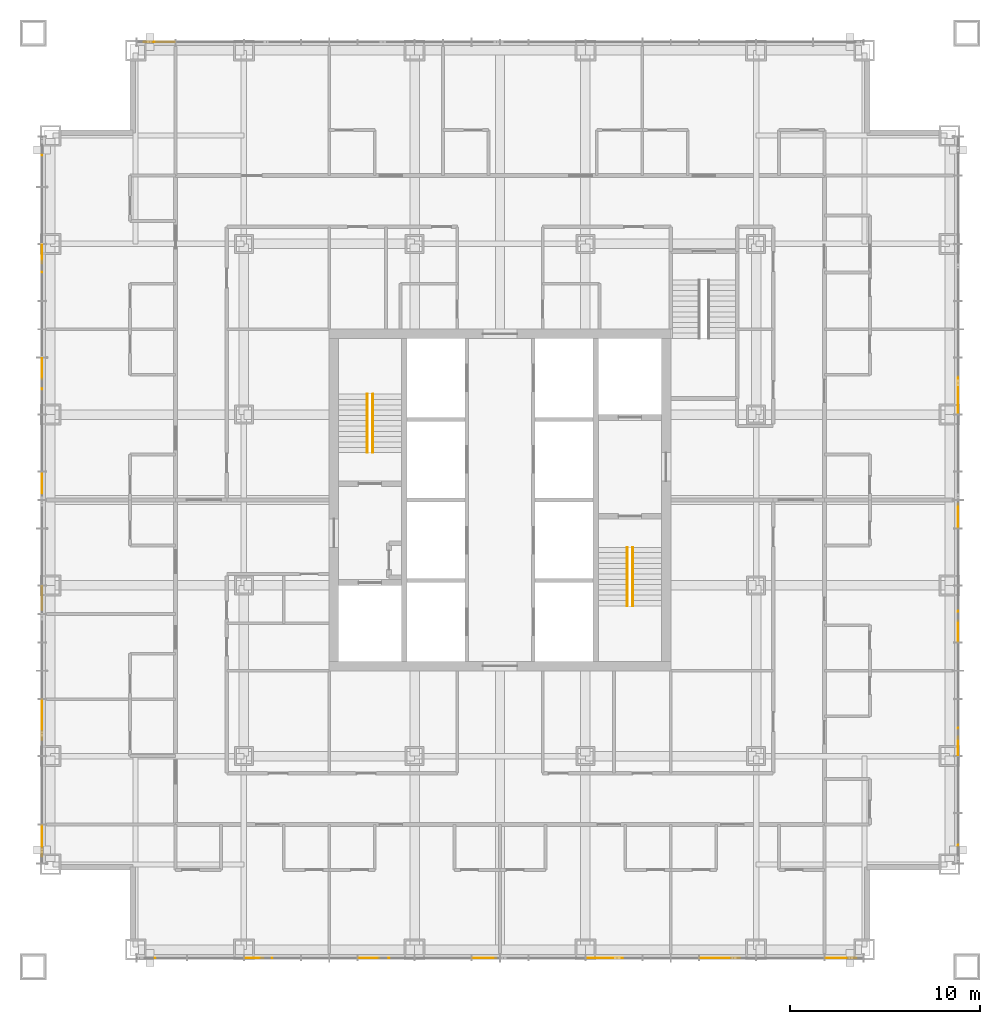
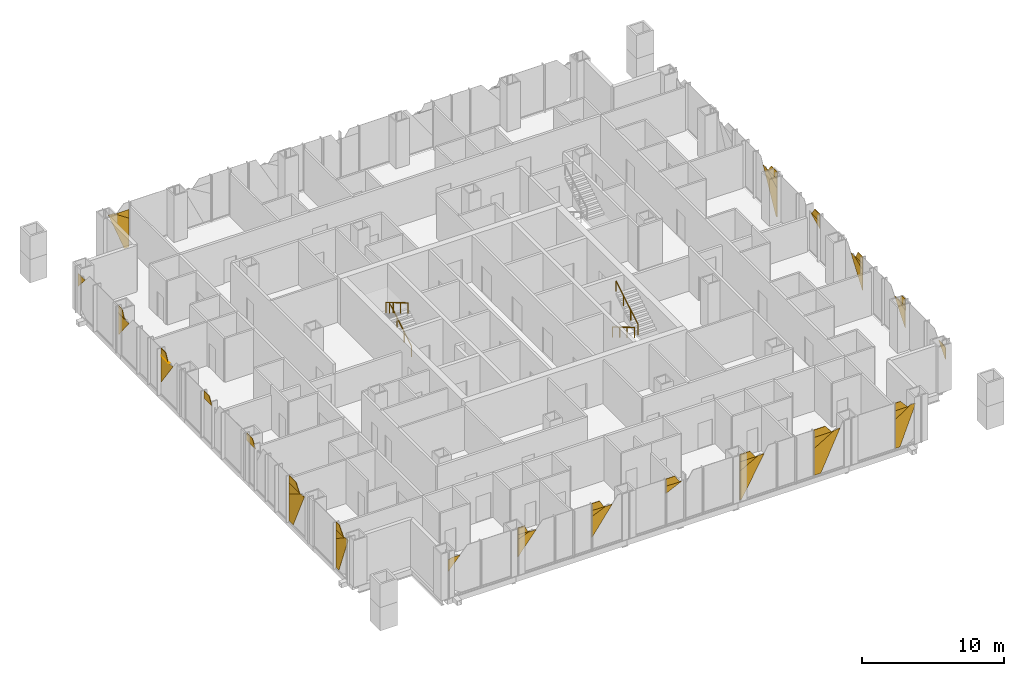
# One storey, part 14 of 23: 47 coverings, 4 railings.
"""IFC4 building model written with IfcOpenShell, lengths in metres."""

from ifc_helpers import new_model, si_unit, direction, frame, origin, origin_2d, place, context, subcontext, project, spatial, polyline, circle, outline, extrude, material, layer, layer_set, type_object, element, save


model = new_model("IFC4")

# Units and contexts
model_context = context("Model", 3, precision=1e-05, world=origin(), true_north=direction((0.0, 1.0)))
body_context = subcontext(model_context, "Body", "Model", "MODEL_VIEW")
ifc_project = project(units=[si_unit("LENGTHUNIT", "METRE"), si_unit("AREAUNIT", "SQUARE_METRE"), si_unit("VOLUMEUNIT", "CUBIC_METRE"), si_unit("PLANEANGLEUNIT", "RADIAN"), si_unit("MASSUNIT", "GRAM", prefix="KILO")], contexts=[model_context])

# Site, building, storey
site_placement = place(None, origin())
site = spatial("IfcSite", under=ifc_project, at=site_placement, CompositionType="ELEMENT")
building_placement = place(site_placement, origin())
building = spatial("IfcBuilding", under=site, at=building_placement, Name="Malebo Sky Hospital", CompositionType="ELEMENT")
storey_placement = place(building_placement, frame((0.0, 0.0, 168.0)))
storey = spatial("IfcBuildingStorey", under=building, at=storey_placement, Name="L40", CompositionType="ELEMENT", Elevation=168.0)

# Coverings
ifc_material_1 = material(Name="Anodised aluminium, natural silver insulated infill panel", Category="aluminium")
ifc_layer = layer(ifc_material_1, 0.0400390625)
ifc_layer_set = layer_set([ifc_layer], Name="BRACE INFILL PANEL 40")
covering_type = type_object("IfcCoveringType", Name="BRACE INFILL PANEL 40", PredefinedType="CLADDING", material=ifc_layer_set)
covering_1_placement = place(storey_placement, frame((42.029052734375, 86.135009765625, 0.099853515625), z_axis=(0.0, 0.0, 1.0), x_axis=(1.0, 0.0, 0.0)))
element("IfcCovering", 1, at=covering_1_placement, inside=storey, type_object=covering_type, Name="Brace infill panel 1.1", PredefinedType="CLADDING", context=body_context, shape_type="SweptSolid", body=[
    extrude(outline(polyline([(0.4501953125, 0.0), (0.83349609375, 0.0), (0.83349609375, 2.48095703125), (-0.420166015625, 3.3134765625), (-0.833251953125, 3.3134765625), (0.4501953125, 0.0)])), frame((0.0, 0.02001953125, 0.0), z_axis=(0.0, -1.0, 0.0), x_axis=(1.0, 0.0, 0.0)), (0.0, 0.0, 1.0), 0.0400390625),
])
covering_2_placement = place(storey_placement, frame((42.2978515625, 86.135009765625, 2.580810546875), z_axis=(0.0, 0.0, 1.0), x_axis=(1.0, 0.0, 0.0)))
element("IfcCovering", 2, at=covering_2_placement, inside=storey, type_object=covering_type, Name="Brace infill panel 1.2", PredefinedType="CLADDING", context=body_context, shape_type="SweptSolid", body=[
    extrude(outline(polyline([(0.564697265625, 0.0), (0.564697265625, 0.75), (-0.564697265625, 0.75), (0.564697265625, 0.0)])), frame((0.0, 0.02001953125, 0.0), z_axis=(0.0, -1.0, 0.0), x_axis=(1.0, 0.0, 0.0)), (0.0, 0.0, 1.0), 0.0400390625),
])
covering_3_placement = place(storey_placement, frame((35.864990234375, 44.029052734375, 0.099853515625), z_axis=(0.0, 0.0, 1.0), x_axis=(0.0, 1.0, 0.0)))
element("IfcCovering", 3, at=covering_3_placement, inside=storey, type_object=covering_type, Name="Brace infill panel 1.1", PredefinedType="CLADDING", context=body_context, shape_type="SweptSolid", body=[
    extrude(outline(polyline([(0.4501953125, 0.0), (0.83349609375, 0.0), (0.83349609375, 2.48095703125), (-0.420166015625, 3.3134765625), (-0.833251953125, 3.3134765625), (0.4501953125, 0.0)])), frame((0.0, 0.02001953125, 0.0), z_axis=(0.0, -1.0, 0.0), x_axis=(1.0, 0.0, 0.0)), (0.0, 0.0, 1.0), 0.0400390625),
])
covering_4_placement = place(storey_placement, frame((35.864990234375, 44.2978515625, 2.580810546875), z_axis=(0.0, 0.0, 1.0), x_axis=(0.0, 1.0, 0.0)))
element("IfcCovering", 4, at=covering_4_placement, inside=storey, type_object=covering_type, Name="Brace infill panel 1.2", PredefinedType="CLADDING", context=body_context, shape_type="SweptSolid", body=[
    extrude(outline(polyline([(0.564697265625, 0.0), (0.564697265625, 0.75), (-0.564697265625, 0.75), (0.564697265625, 0.0)])), frame((0.0, 0.02001953125, 0.0), z_axis=(0.0, -1.0, 0.0), x_axis=(1.0, 0.0, 0.0)), (0.0, 0.0, 1.0), 0.0400390625),
])
covering_5_placement = place(storey_placement, frame((35.864990234375, 44.359130859375, 3.330810546875), z_axis=(0.0, 0.0, 1.0), x_axis=(0.0, 1.0, 0.0)))
element("IfcCovering", 5, at=covering_5_placement, inside=storey, type_object=covering_type, Name="Brace infill panel 1.3", PredefinedType="CLADDING", context=body_context, shape_type="SweptSolid", body=[
    extrude(outline(polyline([(-0.50341796875, 0.0), (0.50341796875, 0.0), (0.50341796875, 0.6591796875), (0.077880859375, 0.6591796875), (-0.50341796875, 0.0)])), frame((0.0, 0.02001953125, 0.0), z_axis=(0.0, -1.0, 0.0), x_axis=(1.0, 0.0, 0.0)), (0.0, 0.0, 1.0), 0.0400390625),
])
covering_6_placement = place(storey_placement, frame((35.864990234375, 50.404541015625, 0.10009765625), z_axis=(0.0, 0.0, 1.0), x_axis=(0.0, 1.0, 0.0)))
element("IfcCovering", 6, at=covering_6_placement, inside=storey, type_object=covering_type, Name="Brace infill panel 3.1", PredefinedType="CLADDING", context=body_context, shape_type="SweptSolid", body=[
    extrude(outline(polyline([(0.491455078125, 0.0), (1.057861328125, 0.0), (1.057861328125, 2.287109375), (-0.611083984375, 3.297607421875), (-1.057861328125, 3.297607421875), (0.491455078125, 0.0)])), frame((0.0, 0.02001953125, 0.0), z_axis=(0.0, -1.0, 0.0), x_axis=(1.0, 0.0, 0.0)), (0.0, 0.0, 1.0), 0.0400390625),
])
covering_7_placement = place(storey_placement, frame((35.864990234375, 50.673828125, 2.38720703125), z_axis=(0.0, 0.0, 1.0), x_axis=(0.0, 1.0, 0.0)))
element("IfcCovering", 7, at=covering_7_placement, inside=storey, type_object=covering_type, Name="Brace infill panel 3.2", PredefinedType="CLADDING", context=body_context, shape_type="SweptSolid", body=[
    extrude(outline(polyline([(0.78857421875, 0.0), (0.78857421875, 0.954833984375), (-0.78857421875, 0.954833984375), (0.78857421875, 0.0)])), frame((0.0, 0.02001953125, 0.0), z_axis=(0.0, -1.0, 0.0), x_axis=(1.0, 0.0, 0.0)), (0.0, 0.0, 1.0), 0.0400390625),
])
covering_8_placement = place(storey_placement, frame((35.864990234375, 50.73974609375, 3.342041015625), z_axis=(0.0, 0.0, 1.0), x_axis=(0.0, 1.0, 0.0)))
element("IfcCovering", 8, at=covering_8_placement, inside=storey, type_object=covering_type, Name="Brace infill panel 3.3", PredefinedType="CLADDING", context=body_context, shape_type="SweptSolid", body=[
    extrude(outline(polyline([(-0.722900390625, 0.0), (0.722900390625, 0.0), (0.722900390625, 0.64794921875), (-0.20458984375, 0.64794921875), (-0.722900390625, 0.0)])), frame((0.0, 0.02001953125, 0.0), z_axis=(0.0, -1.0, 0.0), x_axis=(1.0, 0.0, 0.0)), (0.0, 0.0, 1.0), 0.0400390625),
])
covering_9_placement = place(storey_placement, frame((35.864990234375, 56.8203125, 3.3544921875), z_axis=(0.0, 0.0, 1.0), x_axis=(0.0, 1.0, 0.0)))
element("IfcCovering", 9, at=covering_9_placement, inside=storey, type_object=covering_type, Name="Brace infill panel 7.1", PredefinedType="CLADDING", context=body_context, shape_type="SweptSolid", body=[
    extrude(outline(polyline([(-0.64208984375, 0.0), (0.64208984375, 0.0), (0.64208984375, 0.635498046875), (-0.186279296875, 0.635498046875), (-0.64208984375, 0.0)])), frame((0.0, 0.02001953125, 0.0), z_axis=(0.0, -1.0, 0.0), x_axis=(1.0, 0.0, 0.0)), (0.0, 0.0, 1.0), 0.0400390625),
])
covering_10_placement = place(storey_placement, frame((35.864990234375, 62.900390625, 3.36767578125), z_axis=(0.0, 0.0, 1.0), x_axis=(0.0, 1.0, 0.0)))
element("IfcCovering", 10, at=covering_10_placement, inside=storey, type_object=covering_type, Name="Brace infill panel 10.1", PredefinedType="CLADDING", context=body_context, shape_type="SweptSolid", body=[
    extrude(outline(polyline([(-0.56201171875, 0.0), (0.56201171875, 0.0), (0.56201171875, 0.622314453125), (-0.1669921875, 0.622314453125), (-0.56201171875, 0.0)])), frame((0.0, 0.02001953125, 0.0), z_axis=(0.0, -1.0, 0.0), x_axis=(1.0, 0.0, 0.0)), (0.0, 0.0, 1.0), 0.0400390625),
])
covering_11_placement = place(storey_placement, frame((35.864990234375, 68.64208984375, 1.066162109375), z_axis=(0.0, 0.0, 1.0), x_axis=(0.0, 1.0, 0.0)))
element("IfcCovering", 11, at=covering_11_placement, inside=storey, type_object=covering_type, Name="Brace infill panel 12.1", PredefinedType="CLADDING", context=body_context, shape_type="SweptSolid", body=[
    extrude(outline(polyline([(0.8203125, 0.0), (0.8203125, 2.2880859375), (-0.8203125, 2.2880859375), (0.8203125, 0.0)])), frame((0.0, 0.02001953125, 0.0), z_axis=(0.0, -1.0, 0.0), x_axis=(1.0, 0.0, 0.0)), (0.0, 0.0, 1.0), 0.0400390625),
])
covering_12_placement = place(storey_placement, frame((35.864990234375, 68.979736328125, 3.38232421875), z_axis=(0.0, 0.0, 1.0), x_axis=(0.0, 1.0, 0.0)))
element("IfcCovering", 12, at=covering_12_placement, inside=storey, type_object=covering_type, Name="Brace infill panel 12.2", PredefinedType="CLADDING", context=body_context, shape_type="SweptSolid", body=[
    extrude(outline(polyline([(-0.482666015625, 0.0), (0.482666015625, 0.0), (0.482666015625, 0.607666015625), (-0.14697265625, 0.607666015625), (-0.482666015625, 0.0)])), frame((0.0, 0.02001953125, 0.0), z_axis=(0.0, -1.0, 0.0), x_axis=(1.0, 0.0, 0.0)), (0.0, 0.0, 1.0), 0.0400390625),
])
covering_13_placement = place(storey_placement, frame((35.864990234375, 68.894287109375, 3.3544921875), z_axis=(0.0, 0.0, 1.0), x_axis=(0.0, 1.0, 0.0)))
element("IfcCovering", 13, at=covering_13_placement, inside=storey, type_object=covering_type, Name="Brace infill panel 12.4", PredefinedType="CLADDING", context=body_context, shape_type="SweptSolid", body=[
    extrude(outline(polyline([(-0.504638671875, 0.0), (0.568359375, 0.0), (0.568359375, 0.02783203125), (-0.568359375, 0.02783203125), (-0.504638671875, 0.0)])), frame((0.0, 0.02001953125, 0.0), z_axis=(0.0, -1.0, 0.0), x_axis=(1.0, 0.0, 0.0)), (0.0, 0.0, 1.0), 0.0400390625),
])
covering_14_placement = place(storey_placement, frame((35.864990234375, 74.722900390625, 1.491455078125), z_axis=(0.0, 0.0, 1.0), x_axis=(0.0, 1.0, 0.0)))
element("IfcCovering", 14, at=covering_14_placement, inside=storey, type_object=covering_type, Name="Brace infill panel 15.1", PredefinedType="CLADDING", context=body_context, shape_type="SweptSolid", body=[
    extrude(outline(polyline([(0.73974609375, 0.0), (0.73974609375, 1.8505859375), (-0.73974609375, 1.8505859375), (0.73974609375, 0.0)])), frame((0.0, 0.02001953125, 0.0), z_axis=(0.0, -1.0, 0.0), x_axis=(1.0, 0.0, 0.0)), (0.0, 0.0, 1.0), 0.0400390625),
])
covering_15_placement = place(storey_placement, frame((35.864990234375, 75.057861328125, 3.397705078125), z_axis=(0.0, 0.0, 1.0), x_axis=(0.0, 1.0, 0.0)))
element("IfcCovering", 15, at=covering_15_placement, inside=storey, type_object=covering_type, Name="Brace infill panel 15.2", PredefinedType="CLADDING", context=body_context, shape_type="SweptSolid", body=[
    extrude(outline(polyline([(-0.404541015625, 0.0), (0.40478515625, 0.0), (0.40478515625, 0.59228515625), (-0.126220703125, 0.59228515625), (-0.404541015625, 0.0)])), frame((0.0, 0.02001953125, 0.0), z_axis=(0.0, -1.0, 0.0), x_axis=(1.0, 0.0, 0.0)), (0.0, 0.0, 1.0), 0.0400390625),
])
covering_16_placement = place(storey_placement, frame((35.864990234375, 74.962890625, 3.34228515625), z_axis=(0.0, 0.0, 1.0), x_axis=(0.0, 1.0, 0.0)))
element("IfcCovering", 16, at=covering_16_placement, inside=storey, type_object=covering_type, Name="Brace infill panel 15.4", PredefinedType="CLADDING", context=body_context, shape_type="SweptSolid", body=[
    extrude(outline(polyline([(-0.356201171875, 0.0), (0.499755859375, 0.0), (0.499755859375, 0.055419921875), (-0.499755859375, 0.055419921875), (-0.356201171875, 0.0)])), frame((0.0, 0.02001953125, 0.0), z_axis=(0.0, -1.0, 0.0), x_axis=(1.0, 0.0, 0.0)), (0.0, 0.0, 1.0), 0.0400390625),
])
covering_17_placement = place(storey_placement, frame((35.864990234375, 80.634765625, 2.218994140625), z_axis=(0.0, 0.0, 1.0), x_axis=(0.0, 1.0, 0.0)))
element("IfcCovering", 17, at=covering_17_placement, inside=storey, type_object=covering_type, Name="Brace infill panel 17.1", PredefinedType="CLADDING", context=body_context, shape_type="SweptSolid", body=[
    extrude(outline(polyline([(0.490234375, 0.0), (0.490234375, 1.11181640625), (-0.490234375, 1.11181640625), (0.490234375, 0.0)])), frame((0.0, 0.02001953125, 0.0), z_axis=(0.0, -1.0, 0.0), x_axis=(1.0, 0.0, 0.0)), (0.0, 0.0, 1.0), 0.0400390625),
])
covering_18_placement = place(storey_placement, frame((77.970947265625, 37.864990234375, 0.099853515625), z_axis=(0.0, 0.0, 1.0), x_axis=(-1.0, 0.0, 0.0)))
element("IfcCovering", 18, at=covering_18_placement, inside=storey, type_object=covering_type, Name="Brace infill panel 1.1", PredefinedType="CLADDING", context=body_context, shape_type="SweptSolid", body=[
    extrude(outline(polyline([(0.4501953125, 0.0), (0.83349609375, 0.0), (0.83349609375, 2.48095703125), (-0.420166015625, 3.3134765625), (-0.833251953125, 3.3134765625), (0.4501953125, 0.0)])), frame((0.0, 0.02001953125, 0.0), z_axis=(0.0, -1.0, 0.0), x_axis=(1.0, 0.0, 0.0)), (0.0, 0.0, 1.0), 0.0400390625),
])
covering_19_placement = place(storey_placement, frame((77.7021484375, 37.864990234375, 2.580810546875), z_axis=(0.0, 0.0, 1.0), x_axis=(-1.0, 0.0, 0.0)))
element("IfcCovering", 19, at=covering_19_placement, inside=storey, type_object=covering_type, Name="Brace infill panel 1.2", PredefinedType="CLADDING", context=body_context, shape_type="SweptSolid", body=[
    extrude(outline(polyline([(0.564697265625, 0.0), (0.564697265625, 0.75), (-0.564697265625, 0.75), (0.564697265625, 0.0)])), frame((0.0, 0.02001953125, 0.0), z_axis=(0.0, -1.0, 0.0), x_axis=(1.0, 0.0, 0.0)), (0.0, 0.0, 1.0), 0.0400390625),
])
covering_20_placement = place(storey_placement, frame((77.640869140625, 37.864990234375, 3.330810546875), z_axis=(0.0, 0.0, 1.0), x_axis=(-1.0, 0.0, 0.0)))
element("IfcCovering", 20, at=covering_20_placement, inside=storey, type_object=covering_type, Name="Brace infill panel 1.3", PredefinedType="CLADDING", context=body_context, shape_type="SweptSolid", body=[
    extrude(outline(polyline([(-0.50341796875, 0.0), (0.50341796875, 0.0), (0.50341796875, 0.6591796875), (0.077880859375, 0.6591796875), (-0.50341796875, 0.0)])), frame((0.0, 0.02001953125, 0.0), z_axis=(0.0, -1.0, 0.0), x_axis=(1.0, 0.0, 0.0)), (0.0, 0.0, 1.0), 0.0400390625),
])
covering_21_placement = place(storey_placement, frame((71.595458984375, 37.864990234375, 0.10009765625), z_axis=(0.0, 0.0, 1.0), x_axis=(-1.0, 0.0, 0.0)))
element("IfcCovering", 21, at=covering_21_placement, inside=storey, type_object=covering_type, Name="Brace infill panel 3.1", PredefinedType="CLADDING", context=body_context, shape_type="SweptSolid", body=[
    extrude(outline(polyline([(0.491455078125, 0.0), (1.057861328125, 0.0), (1.057861328125, 2.287109375), (-0.611083984375, 3.297607421875), (-1.057861328125, 3.297607421875), (0.491455078125, 0.0)])), frame((0.0, 0.02001953125, 0.0), z_axis=(0.0, -1.0, 0.0), x_axis=(1.0, 0.0, 0.0)), (0.0, 0.0, 1.0), 0.0400390625),
])
covering_22_placement = place(storey_placement, frame((71.326171875, 37.864990234375, 2.38720703125), z_axis=(0.0, 0.0, 1.0), x_axis=(-1.0, 0.0, 0.0)))
element("IfcCovering", 22, at=covering_22_placement, inside=storey, type_object=covering_type, Name="Brace infill panel 3.2", PredefinedType="CLADDING", context=body_context, shape_type="SweptSolid", body=[
    extrude(outline(polyline([(0.78857421875, 0.0), (0.78857421875, 0.954833984375), (-0.78857421875, 0.954833984375), (0.78857421875, 0.0)])), frame((0.0, 0.02001953125, 0.0), z_axis=(0.0, -1.0, 0.0), x_axis=(1.0, 0.0, 0.0)), (0.0, 0.0, 1.0), 0.0400390625),
])
covering_23_placement = place(storey_placement, frame((71.26025390625, 37.864990234375, 3.342041015625), z_axis=(0.0, 0.0, 1.0), x_axis=(-1.0, 0.0, 0.0)))
element("IfcCovering", 23, at=covering_23_placement, inside=storey, type_object=covering_type, Name="Brace infill panel 3.3", PredefinedType="CLADDING", context=body_context, shape_type="SweptSolid", body=[
    extrude(outline(polyline([(-0.722900390625, 0.0), (0.722900390625, 0.0), (0.722900390625, 0.64794921875), (-0.20458984375, 0.64794921875), (-0.722900390625, 0.0)])), frame((0.0, 0.02001953125, 0.0), z_axis=(0.0, -1.0, 0.0), x_axis=(1.0, 0.0, 0.0)), (0.0, 0.0, 1.0), 0.0400390625),
])
covering_24_placement = place(storey_placement, frame((65.517333984375, 37.864990234375, 0.10009765625), z_axis=(0.0, 0.0, 1.0), x_axis=(-1.0, 0.0, 0.0)))
element("IfcCovering", 24, at=covering_24_placement, inside=storey, type_object=covering_type, Name="Brace infill panel 6.1", PredefinedType="CLADDING", context=body_context, shape_type="SweptSolid", body=[
    extrude(outline(polyline([(0.8330078125, 0.0), (0.97998046875, 0.0), (0.97998046875, 2.47265625), (-0.498046875, 3.2822265625), (-0.979736328125, 3.2822265625), (0.8330078125, 0.0)])), frame((0.0, 0.02001953125, 0.0), z_axis=(0.0, -1.0, 0.0), x_axis=(1.0, 0.0, 0.0)), (0.0, 0.0, 1.0), 0.0400390625),
])
covering_25_placement = place(storey_placement, frame((65.2509765625, 37.864990234375, 2.57275390625), z_axis=(0.0, 0.0, 1.0), x_axis=(-1.0, 0.0, 0.0)))
element("IfcCovering", 25, at=covering_25_placement, inside=storey, type_object=covering_type, Name="Brace infill panel 6.2", PredefinedType="CLADDING", context=body_context, shape_type="SweptSolid", body=[
    extrude(outline(polyline([(0.71337890625, 0.0), (0.71337890625, 0.78173828125), (-0.71337890625, 0.78173828125), (0.71337890625, 0.0)])), frame((0.0, 0.02001953125, 0.0), z_axis=(0.0, -1.0, 0.0), x_axis=(1.0, 0.0, 0.0)), (0.0, 0.0, 1.0), 0.0400390625),
])
covering_26_placement = place(storey_placement, frame((65.1796875, 37.864990234375, 3.3544921875), z_axis=(0.0, 0.0, 1.0), x_axis=(-1.0, 0.0, 0.0)))
element("IfcCovering", 26, at=covering_26_placement, inside=storey, type_object=covering_type, Name="Brace infill panel 6.3", PredefinedType="CLADDING", context=body_context, shape_type="SweptSolid", body=[
    extrude(outline(polyline([(-0.64208984375, 0.0), (0.64208984375, 0.0), (0.64208984375, 0.635498046875), (-0.186279296875, 0.635498046875), (-0.64208984375, 0.0)])), frame((0.0, 0.02001953125, 0.0), z_axis=(0.0, -1.0, 0.0), x_axis=(1.0, 0.0, 0.0)), (0.0, 0.0, 1.0), 0.0400390625),
])
covering_27_placement = place(storey_placement, frame((59.177490234375, 37.864990234375, 2.73828125), z_axis=(0.0, 0.0, 1.0), x_axis=(-1.0, 0.0, 0.0)))
element("IfcCovering", 27, at=covering_27_placement, inside=storey, type_object=covering_type, Name="Brace infill panel 9.1", PredefinedType="CLADDING", context=body_context, shape_type="SweptSolid", body=[
    extrude(outline(polyline([(0.639892578125, 0.0), (0.639892578125, 0.62939453125), (-0.639892578125, 0.62939453125), (0.639892578125, 0.0)])), frame((0.0, 0.02001953125, 0.0), z_axis=(0.0, -1.0, 0.0), x_axis=(1.0, 0.0, 0.0)), (0.0, 0.0, 1.0), 0.0400390625),
])
covering_28_placement = place(storey_placement, frame((59.099609375, 37.864990234375, 3.36767578125), z_axis=(0.0, 0.0, 1.0), x_axis=(-1.0, 0.0, 0.0)))
element("IfcCovering", 28, at=covering_28_placement, inside=storey, type_object=covering_type, Name="Brace infill panel 9.2", PredefinedType="CLADDING", context=body_context, shape_type="SweptSolid", body=[
    extrude(outline(polyline([(-0.56201171875, 0.0), (0.56201171875, 0.0), (0.56201171875, 0.622314453125), (-0.1669921875, 0.622314453125), (-0.56201171875, 0.0)])), frame((0.0, 0.02001953125, 0.0), z_axis=(0.0, -1.0, 0.0), x_axis=(1.0, 0.0, 0.0)), (0.0, 0.0, 1.0), 0.0400390625),
])
covering_29_placement = place(storey_placement, frame((53.35791015625, 37.864990234375, 1.066162109375), z_axis=(0.0, 0.0, 1.0), x_axis=(-1.0, 0.0, 0.0)))
element("IfcCovering", 29, at=covering_29_placement, inside=storey, type_object=covering_type, Name="Brace infill panel 11.1", PredefinedType="CLADDING", context=body_context, shape_type="SweptSolid", body=[
    extrude(outline(polyline([(0.8203125, 0.0), (0.8203125, 1.818115234375), (-0.25244140625, 2.2880859375), (-0.8203125, 2.2880859375), (0.8203125, 0.0)])), frame((0.0, 0.02001953125, 0.0), z_axis=(0.0, -1.0, 0.0), x_axis=(1.0, 0.0, 0.0)), (0.0, 0.0, 1.0), 0.0400390625),
])
covering_30_placement = place(storey_placement, frame((53.105712890625, 37.864990234375, 2.88427734375), z_axis=(0.0, 0.0, 1.0), x_axis=(-1.0, 0.0, 0.0)))
element("IfcCovering", 30, at=covering_30_placement, inside=storey, type_object=covering_type, Name="Brace infill panel 11.2", PredefinedType="CLADDING", context=body_context, shape_type="SweptSolid", body=[
    extrude(outline(polyline([(0.568359375, 0.0), (0.568359375, 0.498046875), (-0.568359375, 0.498046875), (0.568359375, 0.0)])), frame((0.0, 0.02001953125, 0.0), z_axis=(0.0, -1.0, 0.0), x_axis=(1.0, 0.0, 0.0)), (0.0, 0.0, 1.0), 0.0400390625),
])
covering_31_placement = place(storey_placement, frame((53.020263671875, 37.864990234375, 3.38232421875), z_axis=(0.0, 0.0, 1.0), x_axis=(-1.0, 0.0, 0.0)))
element("IfcCovering", 31, at=covering_31_placement, inside=storey, type_object=covering_type, Name="Brace infill panel 11.3", PredefinedType="CLADDING", context=body_context, shape_type="SweptSolid", body=[
    extrude(outline(polyline([(-0.482666015625, 0.0), (0.482666015625, 0.0), (0.482666015625, 0.607666015625), (-0.14697265625, 0.607666015625), (-0.482666015625, 0.0)])), frame((0.0, 0.02001953125, 0.0), z_axis=(0.0, -1.0, 0.0), x_axis=(1.0, 0.0, 0.0)), (0.0, 0.0, 1.0), 0.0400390625),
])
covering_32_placement = place(storey_placement, frame((47.277099609375, 37.864990234375, 1.491455078125), z_axis=(0.0, 0.0, 1.0), x_axis=(-1.0, 0.0, 0.0)))
element("IfcCovering", 32, at=covering_32_placement, inside=storey, type_object=covering_type, Name="Brace infill panel 14.1", PredefinedType="CLADDING", context=body_context, shape_type="SweptSolid", body=[
    extrude(outline(polyline([(0.73974609375, 0.0), (0.73974609375, 1.518798828125), (-0.1162109375, 1.8505859375), (-0.73974609375, 1.8505859375), (0.73974609375, 0.0)])), frame((0.0, 0.02001953125, 0.0), z_axis=(0.0, -1.0, 0.0), x_axis=(1.0, 0.0, 0.0)), (0.0, 0.0, 1.0), 0.0400390625),
])
covering_33_placement = place(storey_placement, frame((47.037109375, 37.864990234375, 3.01025390625), z_axis=(0.0, 0.0, 1.0), x_axis=(-1.0, 0.0, 0.0)))
element("IfcCovering", 33, at=covering_33_placement, inside=storey, type_object=covering_type, Name="Brace infill panel 14.2", PredefinedType="CLADDING", context=body_context, shape_type="SweptSolid", body=[
    extrude(outline(polyline([(0.499755859375, 0.0), (0.499755859375, 0.38720703125), (-0.499755859375, 0.38720703125), (0.499755859375, 0.0)])), frame((0.0, 0.02001953125, 0.0), z_axis=(0.0, -1.0, 0.0), x_axis=(1.0, 0.0, 0.0)), (0.0, 0.0, 1.0), 0.0400390625),
])
covering_34_placement = place(storey_placement, frame((46.942138671875, 37.864990234375, 3.397705078125), z_axis=(0.0, 0.0, 1.0), x_axis=(-1.0, 0.0, 0.0)))
element("IfcCovering", 34, at=covering_34_placement, inside=storey, type_object=covering_type, Name="Brace infill panel 14.3", PredefinedType="CLADDING", context=body_context, shape_type="SweptSolid", body=[
    extrude(outline(polyline([(-0.404541015625, 0.0), (0.40478515625, 0.0), (0.40478515625, 0.59228515625), (-0.126220703125, 0.59228515625), (-0.404541015625, 0.0)])), frame((0.0, 0.02001953125, 0.0), z_axis=(0.0, -1.0, 0.0), x_axis=(1.0, 0.0, 0.0)), (0.0, 0.0, 1.0), 0.0400390625),
])
covering_35_placement = place(storey_placement, frame((41.365234375, 37.864990234375, 2.218994140625), z_axis=(0.0, 0.0, 1.0), x_axis=(-1.0, 0.0, 0.0)))
element("IfcCovering", 35, at=covering_35_placement, inside=storey, type_object=covering_type, Name="Brace infill panel 16.1", PredefinedType="CLADDING", context=body_context, shape_type="SweptSolid", body=[
    extrude(outline(polyline([(0.490234375, 0.0), (0.490234375, 1.01220703125), (0.198486328125, 1.11181640625), (-0.490234375, 1.11181640625), (0.490234375, 0.0)])), frame((0.0, 0.02001953125, 0.0), z_axis=(0.0, -1.0, 0.0), x_axis=(1.0, 0.0, 0.0)), (0.0, 0.0, 1.0), 0.0400390625),
])
covering_36_placement = place(storey_placement, frame((84.135009765625, 67.517333984375, 0.10009765625), z_axis=(0.0, 0.0, 1.0), x_axis=(0.0, -1.0, 0.0)))
element("IfcCovering", 36, at=covering_36_placement, inside=storey, type_object=covering_type, Name="Brace infill panel 6.1", PredefinedType="CLADDING", context=body_context, shape_type="SweptSolid", body=[
    extrude(outline(polyline([(0.8330078125, 0.0), (0.97998046875, 0.0), (0.97998046875, 2.47265625), (-0.498046875, 3.2822265625), (-0.979736328125, 3.2822265625), (0.8330078125, 0.0)])), frame((0.0, 0.02001953125, 0.0), z_axis=(0.0, -1.0, 0.0), x_axis=(1.0, 0.0, 0.0)), (0.0, 0.0, 1.0), 0.0400390625),
])
covering_37_placement = place(storey_placement, frame((84.135009765625, 67.2509765625, 2.57275390625), z_axis=(0.0, 0.0, 1.0), x_axis=(0.0, -1.0, 0.0)))
element("IfcCovering", 37, at=covering_37_placement, inside=storey, type_object=covering_type, Name="Brace infill panel 6.2", PredefinedType="CLADDING", context=body_context, shape_type="SweptSolid", body=[
    extrude(outline(polyline([(0.71337890625, 0.0), (0.71337890625, 0.78173828125), (-0.71337890625, 0.78173828125), (0.71337890625, 0.0)])), frame((0.0, 0.02001953125, 0.0), z_axis=(0.0, -1.0, 0.0), x_axis=(1.0, 0.0, 0.0)), (0.0, 0.0, 1.0), 0.0400390625),
])
covering_38_placement = place(storey_placement, frame((84.135009765625, 67.1796875, 3.3544921875), z_axis=(0.0, 0.0, 1.0), x_axis=(0.0, -1.0, 0.0)))
element("IfcCovering", 38, at=covering_38_placement, inside=storey, type_object=covering_type, Name="Brace infill panel 6.3", PredefinedType="CLADDING", context=body_context, shape_type="SweptSolid", body=[
    extrude(outline(polyline([(-0.64208984375, 0.0), (0.64208984375, 0.0), (0.64208984375, 0.635498046875), (-0.186279296875, 0.635498046875), (-0.64208984375, 0.0)])), frame((0.0, 0.02001953125, 0.0), z_axis=(0.0, -1.0, 0.0), x_axis=(1.0, 0.0, 0.0)), (0.0, 0.0, 1.0), 0.0400390625),
])
covering_39_placement = place(storey_placement, frame((84.135009765625, 61.177490234375, 2.73828125), z_axis=(0.0, 0.0, 1.0), x_axis=(0.0, -1.0, 0.0)))
element("IfcCovering", 39, at=covering_39_placement, inside=storey, type_object=covering_type, Name="Brace infill panel 9.1", PredefinedType="CLADDING", context=body_context, shape_type="SweptSolid", body=[
    extrude(outline(polyline([(0.639892578125, 0.0), (0.639892578125, 0.62939453125), (-0.639892578125, 0.62939453125), (0.639892578125, 0.0)])), frame((0.0, 0.02001953125, 0.0), z_axis=(0.0, -1.0, 0.0), x_axis=(1.0, 0.0, 0.0)), (0.0, 0.0, 1.0), 0.0400390625),
])
covering_40_placement = place(storey_placement, frame((84.135009765625, 61.099609375, 3.36767578125), z_axis=(0.0, 0.0, 1.0), x_axis=(0.0, -1.0, 0.0)))
element("IfcCovering", 40, at=covering_40_placement, inside=storey, type_object=covering_type, Name="Brace infill panel 9.2", PredefinedType="CLADDING", context=body_context, shape_type="SweptSolid", body=[
    extrude(outline(polyline([(-0.56201171875, 0.0), (0.56201171875, 0.0), (0.56201171875, 0.622314453125), (-0.1669921875, 0.622314453125), (-0.56201171875, 0.0)])), frame((0.0, 0.02001953125, 0.0), z_axis=(0.0, -1.0, 0.0), x_axis=(1.0, 0.0, 0.0)), (0.0, 0.0, 1.0), 0.0400390625),
])
covering_41_placement = place(storey_placement, frame((84.135009765625, 55.35791015625, 1.066162109375), z_axis=(0.0, 0.0, 1.0), x_axis=(0.0, -1.0, 0.0)))
element("IfcCovering", 41, at=covering_41_placement, inside=storey, type_object=covering_type, Name="Brace infill panel 11.1", PredefinedType="CLADDING", context=body_context, shape_type="SweptSolid", body=[
    extrude(outline(polyline([(0.8203125, 0.0), (0.8203125, 1.818115234375), (-0.25244140625, 2.2880859375), (-0.8203125, 2.2880859375), (0.8203125, 0.0)])), frame((0.0, 0.02001953125, 0.0), z_axis=(0.0, -1.0, 0.0), x_axis=(1.0, 0.0, 0.0)), (0.0, 0.0, 1.0), 0.0400390625),
])
covering_42_placement = place(storey_placement, frame((84.135009765625, 55.105712890625, 2.88427734375), z_axis=(0.0, 0.0, 1.0), x_axis=(0.0, -1.0, 0.0)))
element("IfcCovering", 42, at=covering_42_placement, inside=storey, type_object=covering_type, Name="Brace infill panel 11.2", PredefinedType="CLADDING", context=body_context, shape_type="SweptSolid", body=[
    extrude(outline(polyline([(0.568359375, 0.0), (0.568359375, 0.498046875), (-0.568359375, 0.498046875), (0.568359375, 0.0)])), frame((0.0, 0.02001953125, 0.0), z_axis=(0.0, -1.0, 0.0), x_axis=(1.0, 0.0, 0.0)), (0.0, 0.0, 1.0), 0.0400390625),
])
covering_43_placement = place(storey_placement, frame((84.135009765625, 55.020263671875, 3.38232421875), z_axis=(0.0, 0.0, 1.0), x_axis=(0.0, -1.0, 0.0)))
element("IfcCovering", 43, at=covering_43_placement, inside=storey, type_object=covering_type, Name="Brace infill panel 11.3", PredefinedType="CLADDING", context=body_context, shape_type="SweptSolid", body=[
    extrude(outline(polyline([(-0.482666015625, 0.0), (0.482666015625, 0.0), (0.482666015625, 0.607666015625), (-0.14697265625, 0.607666015625), (-0.482666015625, 0.0)])), frame((0.0, 0.02001953125, 0.0), z_axis=(0.0, -1.0, 0.0), x_axis=(1.0, 0.0, 0.0)), (0.0, 0.0, 1.0), 0.0400390625),
])
covering_44_placement = place(storey_placement, frame((84.135009765625, 49.277099609375, 1.491455078125), z_axis=(0.0, 0.0, 1.0), x_axis=(0.0, -1.0, 0.0)))
element("IfcCovering", 44, at=covering_44_placement, inside=storey, type_object=covering_type, Name="Brace infill panel 14.1", PredefinedType="CLADDING", context=body_context, shape_type="SweptSolid", body=[
    extrude(outline(polyline([(0.73974609375, 0.0), (0.73974609375, 1.518798828125), (-0.1162109375, 1.8505859375), (-0.73974609375, 1.8505859375), (0.73974609375, 0.0)])), frame((0.0, 0.02001953125, 0.0), z_axis=(0.0, -1.0, 0.0), x_axis=(1.0, 0.0, 0.0)), (0.0, 0.0, 1.0), 0.0400390625),
])
covering_45_placement = place(storey_placement, frame((84.135009765625, 49.037109375, 3.01025390625), z_axis=(0.0, 0.0, 1.0), x_axis=(0.0, -1.0, 0.0)))
element("IfcCovering", 45, at=covering_45_placement, inside=storey, type_object=covering_type, Name="Brace infill panel 14.2", PredefinedType="CLADDING", context=body_context, shape_type="SweptSolid", body=[
    extrude(outline(polyline([(0.499755859375, 0.0), (0.499755859375, 0.38720703125), (-0.499755859375, 0.38720703125), (0.499755859375, 0.0)])), frame((0.0, 0.02001953125, 0.0), z_axis=(0.0, -1.0, 0.0), x_axis=(1.0, 0.0, 0.0)), (0.0, 0.0, 1.0), 0.0400390625),
])
covering_46_placement = place(storey_placement, frame((84.135009765625, 48.942138671875, 3.397705078125), z_axis=(0.0, 0.0, 1.0), x_axis=(0.0, -1.0, 0.0)))
element("IfcCovering", 46, at=covering_46_placement, inside=storey, type_object=covering_type, Name="Brace infill panel 14.3", PredefinedType="CLADDING", context=body_context, shape_type="SweptSolid", body=[
    extrude(outline(polyline([(-0.404541015625, 0.0), (0.40478515625, 0.0), (0.40478515625, 0.59228515625), (-0.126220703125, 0.59228515625), (-0.404541015625, 0.0)])), frame((0.0, 0.02001953125, 0.0), z_axis=(0.0, -1.0, 0.0), x_axis=(1.0, 0.0, 0.0)), (0.0, 0.0, 1.0), 0.0400390625),
])
covering_47_placement = place(storey_placement, frame((84.135009765625, 43.365234375, 2.218994140625), z_axis=(0.0, 0.0, 1.0), x_axis=(0.0, -1.0, 0.0)))
element("IfcCovering", 47, at=covering_47_placement, inside=storey, type_object=covering_type, Name="Brace infill panel 16.1", PredefinedType="CLADDING", context=body_context, shape_type="SweptSolid", body=[
    extrude(outline(polyline([(0.490234375, 0.0), (0.490234375, 1.01220703125), (0.198486328125, 1.11181640625), (-0.490234375, 1.11181640625), (0.490234375, 0.0)])), frame((0.0, 0.02001953125, 0.0), z_axis=(0.0, -1.0, 0.0), x_axis=(1.0, 0.0, 0.0)), (0.0, 0.0, 1.0), 0.0400390625),
])

# Railings
ifc_material_2 = material(Name="Stainless steel tube", Category="steel")
railing_type = type_object("IfcRailingType", Name="STAIR HANDRAIL 900", PredefinedType="HANDRAIL", material=ifc_material_2)
railing_1_placement = place(storey_placement, frame((53.300048828125, 64.5, 0.166748046875)))
element("IfcRailing", 48, at=railing_1_placement, inside=storey, type_object=railing_type, Name="Stair handrail S1 flight 1", PredefinedType="HANDRAIL", context=body_context, shape_type="SweptSolid", body=[
    extrude(circle(Radius=0.02392578125, at=origin_2d()), frame((0.0, 0.0, 0.8759765625), z_axis=(0.0, 0.859308565015, 0.511457515432), x_axis=(-1.0, 0.0, 0.0)), (0.0, 0.0, 1.0), 3.58447265625),
    extrude(circle(Radius=0.02099609375, at=origin_2d()), origin(), (0.0, 0.0, 1.0), 0.851806640625),
    extrude(circle(Radius=0.02099609375, at=origin_2d()), frame((0.0, 1.026611328125, 0.611083984375)), (0.0, 0.0, 1.0), 0.851806640625),
    extrude(circle(Radius=0.02099609375, at=origin_2d()), frame((0.0, 2.053466796875, 1.22216796875)), (0.0, 0.0, 1.0), 0.851806640625),
    extrude(circle(Radius=0.02099609375, at=origin_2d()), frame((0.0, 3.080078125, 1.833251953125)), (0.0, 0.0, 1.0), 0.851806640625),
])
for number, where, name in (
    (49, (53.0, 67.580078125, 2.166748046875), "Stair handrail S1 flight 2"),
    (50, (66.699951171875, 59.5, 0.166748046875), "Stair handrail S2 flight 1"),
):
    element("IfcRailing", number, at=place(storey_placement, frame(where)), inside=storey, type_object=railing_type, Name=name, PredefinedType="HANDRAIL", context=body_context, shape_type="SweptSolid", body=[
        extrude(circle(Radius=0.02392578125, at=origin_2d()), frame((0.0, 0.0, 0.8759765625), z_axis=(0.0, -0.859308565015, 0.511457515432), x_axis=(1.0, 0.0, 0.0)), (0.0, 0.0, 1.0), 3.58447265625),
        extrude(circle(Radius=0.02099609375, at=origin_2d()), origin(), (0.0, 0.0, 1.0), 0.851806640625),
        extrude(circle(Radius=0.02099609375, at=origin_2d()), frame((0.0, -1.026611328125, 0.611083984375)), (0.0, 0.0, 1.0), 0.851806640625),
        extrude(circle(Radius=0.02099609375, at=origin_2d()), frame((0.0, -2.053466796875, 1.22216796875)), (0.0, 0.0, 1.0), 0.851806640625),
        extrude(circle(Radius=0.02099609375, at=origin_2d()), frame((0.0, -3.080078125, 1.833251953125)), (0.0, 0.0, 1.0), 0.851806640625),
    ])
railing_2_placement = place(storey_placement, frame((67.0, 56.419921875, 2.166748046875)))
element("IfcRailing", 51, at=railing_2_placement, inside=storey, type_object=railing_type, Name="Stair handrail S2 flight 2", PredefinedType="HANDRAIL", context=body_context, shape_type="SweptSolid", body=[
    extrude(circle(Radius=0.02392578125, at=origin_2d()), frame((0.0, 0.0, 0.8759765625), z_axis=(0.0, 0.859308565015, 0.511457515432), x_axis=(-1.0, 0.0, 0.0)), (0.0, 0.0, 1.0), 3.58447265625),
    extrude(circle(Radius=0.02099609375, at=origin_2d()), origin(), (0.0, 0.0, 1.0), 0.851806640625),
    extrude(circle(Radius=0.02099609375, at=origin_2d()), frame((0.0, 1.026611328125, 0.611083984375)), (0.0, 0.0, 1.0), 0.851806640625),
    extrude(circle(Radius=0.02099609375, at=origin_2d()), frame((0.0, 2.053466796875, 1.22216796875)), (0.0, 0.0, 1.0), 0.851806640625),
    extrude(circle(Radius=0.02099609375, at=origin_2d()), frame((0.0, 3.080078125, 1.833251953125)), (0.0, 0.0, 1.0), 0.851806640625),
])

save(model, "model.ifc")
